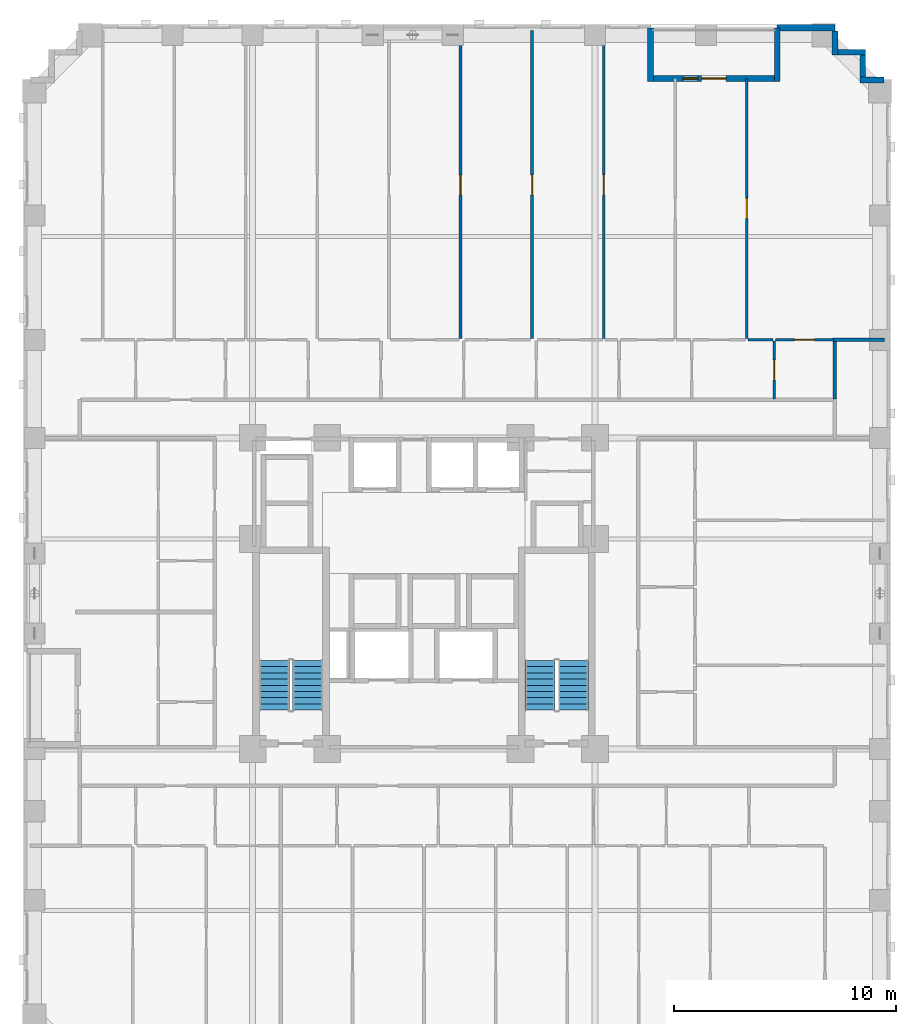
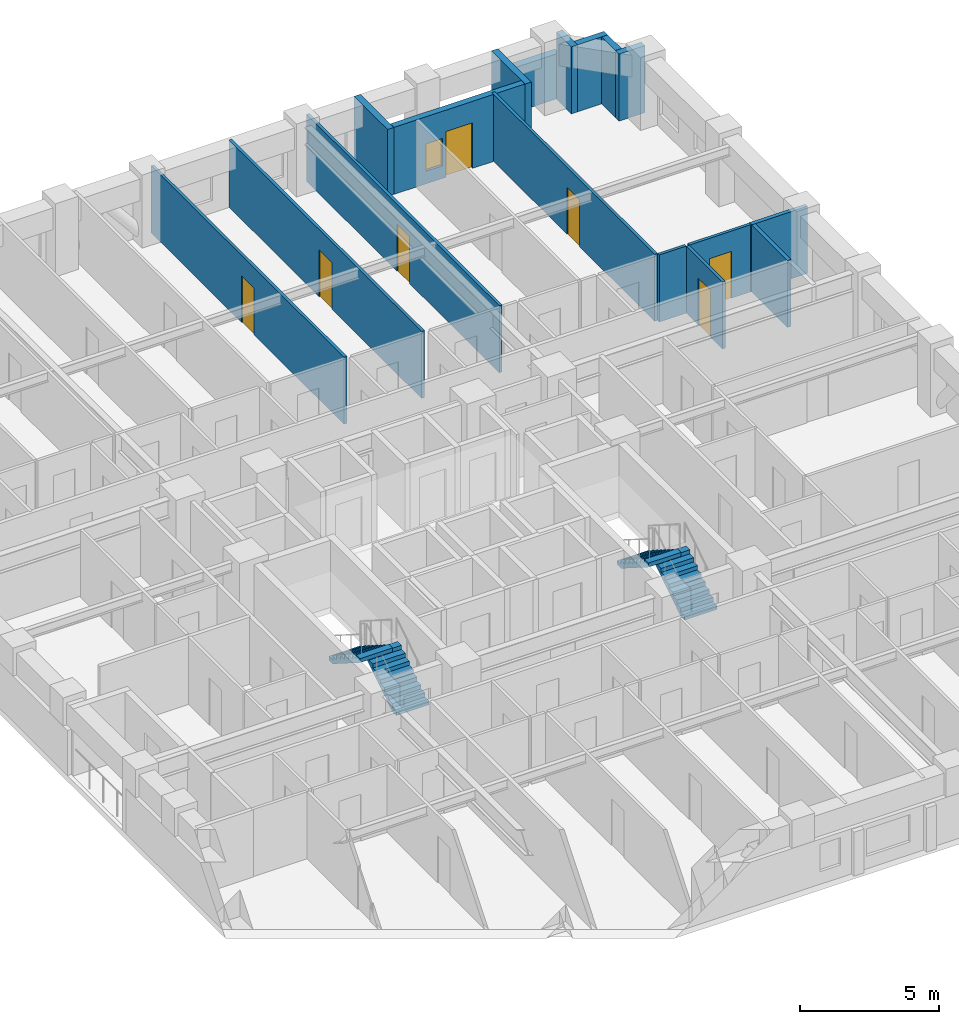
# One storey, part 9 of 14: 17 walls, 7 doors, 4 stair flights, 1 window, 8 openings, 2 elements without a shape of their own.
"""IFC4 building model written with IfcOpenShell, lengths in metres."""

from ifc_helpers import new_model, si_unit, derived_unit, direction, frame, frame_2d, origin, place, context, subcontext, project, spatial, polyline, rectangle, outline, extrude, material, layer, layer_set, type_object, element, fill, aggregate, save


model = new_model("IFC4")

# Units and contexts
model_context = context("Model", 3, precision=1e-05, world=origin(), true_north=direction((0.0, 1.0)))
body_context = subcontext(model_context, "Body", "Model", "MODEL_VIEW")
ifc_project = project(units=[si_unit("LENGTHUNIT", "METRE"), si_unit("AREAUNIT", "SQUARE_METRE"), si_unit("VOLUMEUNIT", "CUBIC_METRE"), si_unit("PLANEANGLEUNIT", "RADIAN"), si_unit("MASSUNIT", "GRAM", prefix="KILO"), derived_unit("THERMALTRANSMITTANCEUNIT", [(si_unit("MASSUNIT", "GRAM", prefix="KILO"), 1), (si_unit("TIMEUNIT", "SECOND"), -3), (si_unit("THERMODYNAMICTEMPERATUREUNIT", "KELVIN"), -1)])], contexts=[model_context])

# Site, building, storey
site_placement = place(None, origin())
site = spatial("IfcSite", under=ifc_project, at=site_placement, CompositionType="ELEMENT")
building_placement = place(site_placement, origin())
building = spatial("IfcBuilding", under=site, at=building_placement, Name="Korrvale Station Residences", CompositionType="ELEMENT")
storey_placement = place(building_placement, frame((0.0, 0.0, 41.800048828125)))
storey = spatial("IfcBuildingStorey", under=building, at=storey_placement, Name="L10", CompositionType="ELEMENT", Elevation=41.800048828125)

# Wall
ifc_material_1 = material(Name="Precast concrete C45/55", Category="concrete")
ifc_layer_1 = layer(ifc_material_1, 0.260009765625, Name="Precast concrete C45/55")
ifc_layer_set_1 = layer_set([ifc_layer_1], Name="Precast concrete C45/55")
wall_type_1 = type_object("IfcWallType", Name="WAL-EXT-LOG260", PredefinedType="SOLIDWALL", material=ifc_layer_set_1)
wall_1_placement = place(storey_placement, frame((35.699951171875, 47.43994140625, 0.0), z_axis=(0.0, 0.0, 1.0), x_axis=(0.0, -1.0, 0.0)))
element("IfcWall", 1, at=wall_1_placement, inside=storey, type_object=wall_type_1, Name="L10 Recessed Loggia Wall BAL-L10-N1-L", PredefinedType="SOLIDWALL", context=body_context, shape_type="SweptSolid", body=[
    extrude(rectangle(XDim=2.39990234375, YDim=0.260009765625, at=frame_2d((1.199951171875, 0.0))), origin(), (0.0, 0.0, 1.0), 2.93994140625),
])

# Wall, openings, door, window
wall_2_placement = place(storey_placement, frame((35.833984375, 45.169921875, 0.0), z_axis=(0.0, 0.0, 1.0), x_axis=(1.0, 0.0, 0.0)))
wall_2 = element("IfcWall", 2, at=wall_2_placement, inside=storey, type_object=wall_type_1, Name="L10 Recessed Loggia Wall BAL-L10-N1-B", PredefinedType="SOLIDWALL", context=body_context, shape_type="SweptSolid", body=[
    extrude(rectangle(XDim=5.43212890625, YDim=0.260009765625, at=frame_2d((2.716064453125, 0.0))), origin(), (0.0, 0.0, 1.0), 2.93994140625),
])
opening_1_placement = place(wall_2_placement, frame((2.166015625, 0.0, 0.0)))
opening_1 = element("IfcOpeningElement", 3, at=opening_1_placement, cuts=wall_2, Name="Opening BD-01", PredefinedType="OPENING", context=body_context, shape_type="SweptSolid", body=[
    extrude(rectangle(XDim=1.10009765625, YDim=2.0, at=frame_2d((0.550048828125, 1.0))), frame((0.0, 0.14013671875, 0.0), z_axis=(0.0, -1.0, 0.0), x_axis=(1.0, 0.0, 0.0)), (0.0, 0.0, 1.0), 0.280029296875),
])
opening_2_placement = place(wall_2_placement, frame((1.325927734375, 0.0, 0.550048828125)))
opening_2 = element("IfcOpeningElement", 4, at=opening_2_placement, cuts=wall_2, Name="Opening W-12", PredefinedType="OPENING", context=body_context, shape_type="SweptSolid", body=[
    extrude(rectangle(XDim=0.679931640625, YDim=1.199951171875, at=frame_2d((0.33984375, 0.60009765625))), frame((0.0, 0.14013671875, 0.0), z_axis=(0.0, -1.0, 0.0), x_axis=(1.0, 0.0, 0.0)), (0.0, 0.0, 1.0), 0.280029296875),
])
ifc_material_2 = material(Name="Exterior thermally broken aluminium glazed balcony door", Category="aluminium")
door_type_1 = type_object("IfcDoorType", Name="DR-EXT-BAL", OperationType="NOTDEFINED", PredefinedType="DOOR", material=ifc_material_2)
door_1_placement = place(opening_1_placement, origin())
door_1 = element("IfcDoor", 5, at=door_1_placement, inside=storey, type_object=door_type_1, Name="L10 Loggia Balcony Door BAL-L10-N1", OperationType="SINGLE_SWING_RIGHT", OverallHeight=2.0, OverallWidth=1.10009765625, PredefinedType="DOOR", context=body_context, shape_type="SweptSolid", body=[
    extrude(rectangle(XDim=1.10009765625, YDim=2.0, at=frame_2d((0.550048828125, 1.0))), frame((0.0, 0.02490234375, 0.0), z_axis=(0.0, -1.0, 0.0), x_axis=(1.0, 0.0, 0.0)), (0.0, 0.0, 1.0), 0.050048828125),
])
fill(opening_1, door_1)
ifc_material_3 = material(Name="Thermally broken aluminium frame with triple low-e glazing", Category="aluminium")
window_type = type_object("IfcWindowType", Name="WIN-W12", PartitioningType="SINGLE_PANEL", PredefinedType="WINDOW", material=ifc_material_3)
window_placement = place(opening_2_placement, origin())
window = element("IfcWindow", 6, at=window_placement, inside=storey, type_object=window_type, Name="L10 Punched Window 22", OverallHeight=1.199951171875, OverallWidth=0.679931640625, PartitioningType="SINGLE_PANEL", PredefinedType="WINDOW", context=body_context, shape_type="SweptSolid", body=[
    extrude(rectangle(XDim=0.679931640625, YDim=1.199951171875, at=frame_2d((0.33984375, 0.60009765625))), frame((0.0, 0.030029296875, 0.0), z_axis=(0.0, -1.0, 0.0), x_axis=(1.0, 0.0, 0.0)), (0.0, 0.0, 1.0), 0.06005859375),
])
fill(opening_2, window)

# Walls
wall_3_placement = place(storey_placement, frame((41.39990234375, 45.0400390625, 0.0), z_axis=(0.0, 0.0, 1.0), x_axis=(0.0, 1.0, 0.0)))
element("IfcWall", 7, at=wall_3_placement, inside=storey, type_object=wall_type_1, Name="L10 Recessed Loggia Wall BAL-L10-N1-R", PredefinedType="SOLIDWALL", context=body_context, shape_type="SweptSolid", body=[
    extrude(rectangle(XDim=2.39990234375, YDim=0.260009765625, at=frame_2d((1.199951171875, 0.0))), origin(), (0.0, 0.0, 1.0), 2.93994140625),
])
wall_4_placement = place(storey_placement, frame((44.0, 47.298095703125, 0.0), z_axis=(0.0, 0.0, 1.0), x_axis=(0.0, -1.0, 0.0)))
element("IfcWall", 8, at=wall_4_placement, inside=storey, type_object=wall_type_1, Name="L10 Serrated Corner Precast Step NE-1", PredefinedType="SOLIDWALL", context=body_context, shape_type="SweptSolid", body=[
    extrude(rectangle(XDim=1.078125, YDim=0.260009765625, at=frame_2d((0.5390625, 0.0))), origin(), (0.0, 0.0, 1.0), 2.93994140625),
])
wall_5_placement = place(storey_placement, frame((44.132080078125, 46.35009765625, 0.0), z_axis=(0.0, 0.0, 1.0), x_axis=(1.0, 0.0, 0.0)))
element("IfcWall", 9, at=wall_5_placement, inside=storey, type_object=wall_type_1, Name="L10 Serrated Corner Precast Step NE-2", PredefinedType="SOLIDWALL", context=body_context, shape_type="SweptSolid", body=[
    extrude(rectangle(XDim=1.247802734375, YDim=0.260009765625, at=frame_2d((0.6240234375, 0.0))), origin(), (0.0, 0.0, 1.0), 2.93994140625),
])
wall_6_placement = place(storey_placement, frame((45.25, 46.218017578125, 0.0), z_axis=(0.0, 0.0, 1.0), x_axis=(0.0, -1.0, 0.0)))
element("IfcWall", 10, at=wall_6_placement, inside=storey, type_object=wall_type_1, Name="L10 Serrated Corner Precast Step NE-3", PredefinedType="SOLIDWALL", context=body_context, shape_type="SweptSolid", body=[
    extrude(rectangle(XDim=0.986083984375, YDim=0.260009765625, at=frame_2d((0.4931640625, 0.0))), origin(), (0.0, 0.0, 1.0), 2.93994140625),
])
wall_7_placement = place(storey_placement, frame((45.1201171875, 45.10009765625, 0.0), z_axis=(0.0, 0.0, 1.0), x_axis=(1.0, 0.0, 0.0)))
element("IfcWall", 11, at=wall_7_placement, inside=storey, type_object=wall_type_1, Name="L10 Serrated Corner Precast Step NE-4", PredefinedType="SOLIDWALL", context=body_context, shape_type="SweptSolid", body=[
    extrude(rectangle(XDim=1.077880859375, YDim=0.260009765625, at=frame_2d((0.5390625, 0.0))), origin(), (0.0, 0.0, 1.0), 2.93994140625),
])
ifc_layer_2 = layer(ifc_material_1, 0.300048828125, Name="Precast concrete C45/55")
ifc_layer_set_2 = layer_set([ifc_layer_2], Name="Precast concrete C45/55")
wall_type_2 = type_object("IfcWallType", Name="WAL-EXT-PC300", PredefinedType="SOLIDWALL", material=ifc_layer_set_2)
wall_8_placement = place(storey_placement, frame((41.39990234375, 47.449951171875, 0.0), z_axis=(0.0, 0.0, 1.0), x_axis=(1.0, 0.0, 0.0)))
element("IfcWall", 12, at=wall_8_placement, inside=storey, type_object=wall_type_2, Name="L10 North Exterior Precast Wall 2", PredefinedType="SOLIDWALL", context=body_context, shape_type="SweptSolid", body=[
    extrude(rectangle(XDim=2.60009765625, YDim=0.300048828125, at=frame_2d((1.300048828125, 0.0))), origin(), (0.0, 0.0, 1.0), 1.974853515625),
])

# Wall, opening, door
ifc_material_4 = material(Name="Acoustic steel-stud gypsum board partition", Category="steel")
ifc_layer_3 = layer(ifc_material_4, 0.1201171875, Name="Acoustic steel-stud gypsum board partition")
ifc_layer_set_3 = layer_set([ifc_layer_3], Name="Acoustic steel-stud gypsum board partition")
wall_type_3 = type_object("IfcWallType", Name="WAL-PART-125", PredefinedType="PARTITIONING", material=ifc_layer_set_3)
wall_9_placement = place(storey_placement, frame((41.27001953125, 30.760009765625, 0.0), z_axis=(0.0, 0.0, 1.0), x_axis=(0.0, 1.0, 0.0)))
wall_9 = element("IfcWall", 13, at=wall_9_placement, inside=storey, type_object=wall_type_3, Name="L10 Suite Partition U03-V89", PredefinedType="PARTITIONING", context=body_context, shape_type="SweptSolid", body=[
    extrude(rectangle(XDim=2.60009765625, YDim=0.1201171875, at=frame_2d((1.300048828125, 0.0))), origin(), (0.0, 0.0, 1.0), 2.93994140625),
])
opening_3_placement = place(wall_9_placement, frame((0.85009765625, 0.0, 0.0)))
opening_3 = element("IfcOpeningElement", 14, at=opening_3_placement, cuts=wall_9, Name="Opening DI-900", PredefinedType="OPENING", context=body_context, shape_type="SweptSolid", body=[
    extrude(rectangle(XDim=0.89990234375, YDim=2.050048828125, at=frame_2d((0.449951171875, 1.02490234375))), frame((0.0, 0.070068359375, 0.0), z_axis=(0.0, -1.0, 0.0), x_axis=(1.0, 0.0, 0.0)), (0.0, 0.0, 1.0), 0.14013671875),
])
ifc_material_5 = material(Name="Painted solid-core timber interior room door", Category="wood")
door_type_2 = type_object("IfcDoorType", Name="DR-INT-900", OperationType="NOTDEFINED", PredefinedType="DOOR", material=ifc_material_5)
door_2_placement = place(opening_3_placement, origin())
door_2 = element("IfcDoor", 15, at=door_2_placement, inside=storey, type_object=door_type_2, Name="L10 Studio Apartment L10-U03 Storage Closet 7 Door", OperationType="SINGLE_SWING_RIGHT", OverallHeight=2.050048828125, OverallWidth=0.89990234375, PredefinedType="DOOR", context=body_context, shape_type="SweptSolid", body=[
    extrude(rectangle(XDim=0.89990234375, YDim=2.050048828125, at=frame_2d((0.449951171875, 1.02490234375))), frame((0.0, 0.02490234375, 0.0), z_axis=(0.0, -1.0, 0.0), x_axis=(1.0, 0.0, 0.0)), (0.0, 0.0, 1.0), 0.050048828125),
])
fill(opening_3, door_2)

# Wall
wall_10_placement = place(storey_placement, frame((40.090087890625, 33.419921875, 0.0), z_axis=(0.0, 0.0, 1.0), x_axis=(1.0, 0.0, 0.0)))
element("IfcWall", 16, at=wall_10_placement, inside=storey, type_object=wall_type_3, Name="L10 Suite Partition U03-H820", PredefinedType="PARTITIONING", context=body_context, shape_type="SweptSolid", body=[
    extrude(rectangle(XDim=1.119873046875, YDim=0.1201171875, at=frame_2d((0.56005859375, 0.0))), origin(), (0.0, 0.0, 1.0), 2.93994140625),
])

# Wall, opening, door
wall_11_placement = place(storey_placement, frame((41.330078125, 33.419921875, 0.0), z_axis=(0.0, 0.0, 1.0), x_axis=(1.0, 0.0, 0.0)))
wall_11 = element("IfcWall", 17, at=wall_11_placement, inside=storey, type_object=wall_type_3, Name="L10 Suite Partition U03-H920", PredefinedType="PARTITIONING", context=body_context, shape_type="SweptSolid", body=[
    extrude(rectangle(XDim=2.58984375, YDim=0.1201171875, at=frame_2d((1.294921875, 0.0))), origin(), (0.0, 0.0, 1.0), 2.93994140625),
])
opening_4_placement = place(wall_11_placement, frame((0.844970703125, 0.0, 0.0)))
opening_4 = element("IfcOpeningElement", 18, at=opening_4_placement, cuts=wall_11, Name="Opening DI-900", PredefinedType="OPENING", context=body_context, shape_type="SweptSolid", body=[
    extrude(rectangle(XDim=0.89990234375, YDim=2.050048828125, at=frame_2d((0.449951171875, 1.02490234375))), frame((0.0, 0.070068359375, 0.0), z_axis=(0.0, -1.0, 0.0), x_axis=(1.0, 0.0, 0.0)), (0.0, 0.0, 1.0), 0.14013671875),
])
door_3_placement = place(opening_4_placement, origin())
door_3 = element("IfcDoor", 19, at=door_3_placement, inside=storey, type_object=door_type_2, Name="L10 Studio Apartment L10-U03 Storage Closet 8 Door", OperationType="SINGLE_SWING_RIGHT", OverallHeight=2.050048828125, OverallWidth=0.89990234375, PredefinedType="DOOR", context=body_context, shape_type="SweptSolid", body=[
    extrude(rectangle(XDim=0.89990234375, YDim=2.050048828125, at=frame_2d((0.449951171875, 1.02490234375))), frame((0.0, 0.02490234375, 0.0), z_axis=(0.0, -1.0, 0.0), x_axis=(1.0, 0.0, 0.0)), (0.0, 0.0, 1.0), 0.050048828125),
])
fill(opening_4, door_3)

wall_12_placement = place(storey_placement, frame((27.14990234375, 33.47998046875, 0.0), z_axis=(0.0, 0.0, 1.0), x_axis=(0.0, 1.0, 0.0)))
wall_12 = element("IfcWall", 20, at=wall_12_placement, inside=storey, type_object=wall_type_3, Name="L10 Suite Partition U03-V1516", PredefinedType="PARTITIONING", context=body_context, shape_type="SweptSolid", body=[
    extrude(rectangle(XDim=13.840087890625, YDim=0.1201171875, at=frame_2d((6.919921875, 0.0))), origin(), (0.0, 0.0, 1.0), 2.93994140625),
])
opening_5_placement = place(wall_12_placement, frame((6.455078125, 0.0, 0.0)))
opening_5 = element("IfcOpeningElement", 21, at=opening_5_placement, cuts=wall_12, Name="Opening DI-900", PredefinedType="OPENING", context=body_context, shape_type="SweptSolid", body=[
    extrude(rectangle(XDim=0.89990234375, YDim=2.050048828125, at=frame_2d((0.449951171875, 1.02490234375))), frame((0.0, 0.070068359375, 0.0), z_axis=(0.0, -1.0, 0.0), x_axis=(1.0, 0.0, 0.0)), (0.0, 0.0, 1.0), 0.14013671875),
])
door_4_placement = place(opening_5_placement, origin())
door_4 = element("IfcDoor", 22, at=door_4_placement, inside=storey, type_object=door_type_2, Name="L10 Studio Apartment L10-U03 Walk-In Wardrobe Door", OperationType="SINGLE_SWING_RIGHT", OverallHeight=2.050048828125, OverallWidth=0.89990234375, PredefinedType="DOOR", context=body_context, shape_type="SweptSolid", body=[
    extrude(rectangle(XDim=0.89990234375, YDim=2.050048828125, at=frame_2d((0.449951171875, 1.02490234375))), frame((0.0, 0.02490234375, 0.0), z_axis=(0.0, -1.0, 0.0), x_axis=(1.0, 0.0, 0.0)), (0.0, 0.0, 1.0), 0.050048828125),
])
fill(opening_5, door_4)

wall_13_placement = place(storey_placement, frame((30.3701171875, 33.47998046875, 0.0), z_axis=(0.0, 0.0, 1.0), x_axis=(0.0, 1.0, 0.0)))
wall_13 = element("IfcWall", 23, at=wall_13_placement, inside=storey, type_object=wall_type_3, Name="L10 Suite Partition U03-V1617", PredefinedType="PARTITIONING", context=body_context, shape_type="SweptSolid", body=[
    extrude(rectangle(XDim=13.840087890625, YDim=0.1201171875, at=frame_2d((6.919921875, 0.0))), origin(), (0.0, 0.0, 1.0), 2.93994140625),
])
opening_6_placement = place(wall_13_placement, frame((6.455078125, 0.0, 0.0)))
opening_6 = element("IfcOpeningElement", 24, at=opening_6_placement, cuts=wall_13, Name="Opening DI-900", PredefinedType="OPENING", context=body_context, shape_type="SweptSolid", body=[
    extrude(rectangle(XDim=0.89990234375, YDim=2.050048828125, at=frame_2d((0.449951171875, 1.02490234375))), frame((0.0, 0.070068359375, 0.0), z_axis=(0.0, -1.0, 0.0), x_axis=(1.0, 0.0, 0.0)), (0.0, 0.0, 1.0), 0.14013671875),
])
door_5_placement = place(opening_6_placement, origin())
door_5 = element("IfcDoor", 25, at=door_5_placement, inside=storey, type_object=door_type_2, Name="L10 Studio Apartment L10-U03 Walk-In Wardrobe Door", OperationType="SINGLE_SWING_LEFT", OverallHeight=2.050048828125, OverallWidth=0.89990234375, PredefinedType="DOOR", context=body_context, shape_type="SweptSolid", body=[
    extrude(rectangle(XDim=0.89990234375, YDim=2.050048828125, at=frame_2d((0.449951171875, 1.02490234375))), frame((0.0, 0.02490234375, 0.0), z_axis=(0.0, -1.0, 0.0), x_axis=(1.0, 0.0, 0.0)), (0.0, 0.0, 1.0), 0.050048828125),
])
fill(opening_6, door_5)

wall_14_placement = place(storey_placement, frame((33.590087890625, 33.47998046875, 0.0), z_axis=(0.0, 0.0, 1.0), x_axis=(0.0, 1.0, 0.0)))
wall_14 = element("IfcWall", 26, at=wall_14_placement, inside=storey, type_object=wall_type_3, Name="L10 Suite Partition U03-V1718", PredefinedType="PARTITIONING", context=body_context, shape_type="SweptSolid", body=[
    extrude(rectangle(XDim=13.840087890625, YDim=0.1201171875, at=frame_2d((6.919921875, 0.0))), origin(), (0.0, 0.0, 1.0), 2.93994140625),
])
opening_7_placement = place(wall_14_placement, frame((6.455078125, 0.0, 0.0)))
opening_7 = element("IfcOpeningElement", 27, at=opening_7_placement, cuts=wall_14, Name="Opening DI-900", PredefinedType="OPENING", context=body_context, shape_type="SweptSolid", body=[
    extrude(rectangle(XDim=0.89990234375, YDim=2.050048828125, at=frame_2d((0.449951171875, 1.02490234375))), frame((0.0, 0.070068359375, 0.0), z_axis=(0.0, -1.0, 0.0), x_axis=(1.0, 0.0, 0.0)), (0.0, 0.0, 1.0), 0.14013671875),
])
door_6_placement = place(opening_7_placement, origin())
door_6 = element("IfcDoor", 28, at=door_6_placement, inside=storey, type_object=door_type_2, Name="L10 Studio Apartment L10-U03 Walk-In Wardrobe Door", OperationType="SINGLE_SWING_RIGHT", OverallHeight=2.050048828125, OverallWidth=0.89990234375, PredefinedType="DOOR", context=body_context, shape_type="SweptSolid", body=[
    extrude(rectangle(XDim=0.89990234375, YDim=2.050048828125, at=frame_2d((0.449951171875, 1.02490234375))), frame((0.0, 0.02490234375, 0.0), z_axis=(0.0, -1.0, 0.0), x_axis=(1.0, 0.0, 0.0)), (0.0, 0.0, 1.0), 0.050048828125),
])
fill(opening_7, door_6)

wall_15_placement = place(storey_placement, frame((40.030029296875, 33.47998046875, 0.0), z_axis=(0.0, 0.0, 1.0), x_axis=(0.0, 1.0, 0.0)))
wall_15 = element("IfcWall", 29, at=wall_15_placement, inside=storey, type_object=wall_type_3, Name="L10 Suite Partition U03-V1920", PredefinedType="PARTITIONING", context=body_context, shape_type="SweptSolid", body=[
    extrude(rectangle(XDim=11.68994140625, YDim=0.1201171875, at=frame_2d((5.844970703125, 0.0))), origin(), (0.0, 0.0, 1.0), 2.93994140625),
])
opening_8_placement = place(wall_15_placement, frame((5.39501953125, 0.0, 0.0)))
opening_8 = element("IfcOpeningElement", 30, at=opening_8_placement, cuts=wall_15, Name="Opening DI-900", PredefinedType="OPENING", context=body_context, shape_type="SweptSolid", body=[
    extrude(rectangle(XDim=0.89990234375, YDim=2.050048828125, at=frame_2d((0.449951171875, 1.02490234375))), frame((0.0, 0.070068359375, 0.0), z_axis=(0.0, -1.0, 0.0), x_axis=(1.0, 0.0, 0.0)), (0.0, 0.0, 1.0), 0.14013671875),
])
door_7_placement = place(opening_8_placement, origin())
door_7 = element("IfcDoor", 31, at=door_7_placement, inside=storey, type_object=door_type_2, Name="L10 Studio Apartment L10-U03 Walk-In Wardrobe Door", OperationType="SINGLE_SWING_RIGHT", OverallHeight=2.050048828125, OverallWidth=0.89990234375, PredefinedType="DOOR", context=body_context, shape_type="SweptSolid", body=[
    extrude(rectangle(XDim=0.89990234375, YDim=2.050048828125, at=frame_2d((0.449951171875, 1.02490234375))), frame((0.0, 0.02490234375, 0.0), z_axis=(0.0, -1.0, 0.0), x_axis=(1.0, 0.0, 0.0)), (0.0, 0.0, 1.0), 0.050048828125),
])
fill(opening_8, door_7)

# Walls
ifc_material_6 = material(Name="Fire-rated twin-stud gypsum and mineral wool shaftwall assembly", Category="gypsum")
ifc_layer_4 = layer(ifc_material_6, 0.159912109375, Name="Fire-rated twin-stud gypsum and mineral wool shaftwall assembly")
ifc_layer_set_4 = layer_set([ifc_layer_4], Name="Fire-rated twin-stud gypsum and mineral wool shaftwall assembly")
wall_type_4 = type_object("IfcWallType", Name="WAL-PART-200", PredefinedType="PARTITIONING", material=ifc_layer_set_4)
wall_16_placement = place(storey_placement, frame((43.8798828125, 33.419921875, 0.0), z_axis=(0.0, 0.0, 1.0), x_axis=(1.0, 0.0, 0.0)))
element("IfcWall", 32, at=wall_16_placement, inside=storey, type_object=wall_type_4, Name="L10 Corner Step Wall U03-R", PredefinedType="PARTITIONING", context=body_context, shape_type="SweptSolid", body=[
    extrude(rectangle(XDim=2.340087890625, YDim=0.159912109375, at=frame_2d((1.169921875, 0.0))), origin(), (0.0, 0.0, 1.0), 2.93994140625),
])
wall_17_placement = place(storey_placement, frame((43.97998046875, 30.760009765625, 0.0), z_axis=(0.0, 0.0, 1.0), x_axis=(0.0, 1.0, 0.0)))
element("IfcWall", 33, at=wall_17_placement, inside=storey, type_object=wall_type_4, Name="L10 Corner Step Cheek U03-R", PredefinedType="PARTITIONING", context=body_context, shape_type="SweptSolid", body=[
    extrude(rectangle(XDim=2.659912109375, YDim=0.159912109375, at=frame_2d((1.330078125, 0.0))), origin(), (0.0, 0.0, 1.0), 2.93994140625),
])

# Stair, stair flights
ifc_material_7 = material(Name="Concrete C50/60", Category="concrete")
stair_type = type_object("IfcStairType", Name="STR-DL-1350-18R-1778", PredefinedType="HALF_TURN_STAIR", material=ifc_material_7)
stair_1_placement = place(storey_placement, origin())
stair_1 = element("IfcStair", 34, at=stair_1_placement, inside=storey, type_object=stair_type, Name="L10 Exit Stair 1", PredefinedType="HALF_TURN_STAIR")
stair_flight_type = type_object("IfcStairFlightType", Name="FLT-DL-1350-18R-1778", PredefinedType="STRAIGHT", material=ifc_material_7)
stair_flight_1_placement = place(storey_placement, frame((20.27490234375, 16.75, 0.0), z_axis=(0.0, 0.0, 1.0), x_axis=(0.0, 1.0, 0.0)))
stair_flight_1 = element("IfcStairFlight", 35, at=stair_flight_1_placement, type_object=stair_flight_type, Name="ST-1 flight 1", NumberOfRisers=9, NumberOfTreads=8, PredefinedType="STRAIGHT", RiserHeight=0.177777778, TreadLength=0.28, context=body_context, shape_type="SweptSolid", body=[
    extrude(outline(polyline([(0.0, 0.0), (0.0, 0.177734375), (0.280029296875, 0.177734375), (0.280029296875, 0.35546875), (0.56005859375, 0.35546875), (0.56005859375, 0.533447265625), (0.840087890625, 0.533447265625), (0.840087890625, 0.711181640625), (1.1201171875, 0.711181640625), (1.1201171875, 0.888916015625), (1.39990234375, 0.888916015625), (1.39990234375, 1.066650390625), (1.679931640625, 1.066650390625), (1.679931640625, 1.244384765625), (1.9599609375, 1.244384765625), (1.9599609375, 1.422119140625), (2.239990234375, 1.422119140625), (2.239990234375, 1.60009765625), (2.239990234375, 1.24462890625), (0.27978515625, 0.0), (0.0, 0.0)])), frame((0.0, 0.675048828125, 0.0), z_axis=(0.0, -1.0, 0.0), x_axis=(1.0, 0.0, 0.0)), (0.0, 0.0, 1.0), 1.35009765625),
])
stair_flight_2_placement = place(storey_placement, frame((18.77490234375, 18.989990234375, 1.599853515625), z_axis=(0.0, 0.0, 1.0), x_axis=(0.0, -1.0, 0.0)))
stair_flight_2 = element("IfcStairFlight", 36, at=stair_flight_2_placement, type_object=stair_flight_type, Name="ST-1 flight 2", NumberOfRisers=9, NumberOfTreads=8, PredefinedType="STRAIGHT", RiserHeight=0.177777778, TreadLength=0.28, context=body_context, shape_type="SweptSolid", body=[
    extrude(outline(polyline([(0.0, 0.0), (0.0, 0.177734375), (0.280029296875, 0.177734375), (0.280029296875, 0.35546875), (0.56005859375, 0.35546875), (0.56005859375, 0.533447265625), (0.840087890625, 0.533447265625), (0.840087890625, 0.711181640625), (1.1201171875, 0.711181640625), (1.1201171875, 0.888916015625), (1.39990234375, 0.888916015625), (1.39990234375, 1.066650390625), (1.679931640625, 1.066650390625), (1.679931640625, 1.244384765625), (1.9599609375, 1.244384765625), (1.9599609375, 1.422119140625), (2.239990234375, 1.422119140625), (2.239990234375, 1.60009765625), (2.239990234375, 1.24462890625), (0.27978515625, 0.0), (0.0, 0.0)])), frame((0.0, 0.675048828125, 0.0), z_axis=(0.0, -1.0, 0.0), x_axis=(1.0, 0.0, 0.0)), (0.0, 0.0, 1.0), 1.35009765625),
])
aggregate(stair_1, [stair_flight_1, stair_flight_2])

stair_2_placement = place(storey_placement, origin())
stair_2 = element("IfcStair", 37, at=stair_2_placement, inside=storey, type_object=stair_type, Name="L10 Exit Stair 2", PredefinedType="HALF_TURN_STAIR")
stair_flight_3_placement = place(storey_placement, frame((32.22509765625, 16.75, 0.0), z_axis=(0.0, 0.0, 1.0), x_axis=(0.0, 1.0, 0.0)))
stair_flight_3 = element("IfcStairFlight", 38, at=stair_flight_3_placement, type_object=stair_flight_type, Name="ST-2 flight 1", NumberOfRisers=9, NumberOfTreads=8, PredefinedType="STRAIGHT", RiserHeight=0.177777778, TreadLength=0.28, context=body_context, shape_type="SweptSolid", body=[
    extrude(outline(polyline([(0.0, 0.0), (0.0, 0.177734375), (0.280029296875, 0.177734375), (0.280029296875, 0.35546875), (0.56005859375, 0.35546875), (0.56005859375, 0.533447265625), (0.840087890625, 0.533447265625), (0.840087890625, 0.711181640625), (1.1201171875, 0.711181640625), (1.1201171875, 0.888916015625), (1.39990234375, 0.888916015625), (1.39990234375, 1.066650390625), (1.679931640625, 1.066650390625), (1.679931640625, 1.244384765625), (1.9599609375, 1.244384765625), (1.9599609375, 1.422119140625), (2.239990234375, 1.422119140625), (2.239990234375, 1.60009765625), (2.239990234375, 1.24462890625), (0.27978515625, 0.0), (0.0, 0.0)])), frame((0.0, 0.675048828125, 0.0), z_axis=(0.0, -1.0, 0.0), x_axis=(1.0, 0.0, 0.0)), (0.0, 0.0, 1.0), 1.35009765625),
])
stair_flight_4_placement = place(storey_placement, frame((30.72509765625, 18.989990234375, 1.599853515625), z_axis=(0.0, 0.0, 1.0), x_axis=(0.0, -1.0, 0.0)))
stair_flight_4 = element("IfcStairFlight", 39, at=stair_flight_4_placement, type_object=stair_flight_type, Name="ST-2 flight 2", NumberOfRisers=9, NumberOfTreads=8, PredefinedType="STRAIGHT", RiserHeight=0.177777778, TreadLength=0.28, context=body_context, shape_type="SweptSolid", body=[
    extrude(outline(polyline([(0.0, 0.0), (0.0, 0.177734375), (0.280029296875, 0.177734375), (0.280029296875, 0.35546875), (0.56005859375, 0.35546875), (0.56005859375, 0.533447265625), (0.840087890625, 0.533447265625), (0.840087890625, 0.711181640625), (1.1201171875, 0.711181640625), (1.1201171875, 0.888916015625), (1.39990234375, 0.888916015625), (1.39990234375, 1.066650390625), (1.679931640625, 1.066650390625), (1.679931640625, 1.244384765625), (1.9599609375, 1.244384765625), (1.9599609375, 1.422119140625), (2.239990234375, 1.422119140625), (2.239990234375, 1.60009765625), (2.239990234375, 1.24462890625), (0.27978515625, 0.0), (0.0, 0.0)])), frame((0.0, 0.675048828125, 0.0), z_axis=(0.0, -1.0, 0.0), x_axis=(1.0, 0.0, 0.0)), (0.0, 0.0, 1.0), 1.35009765625),
])
aggregate(stair_2, [stair_flight_3, stair_flight_4])

save(model, "model.ifc")
